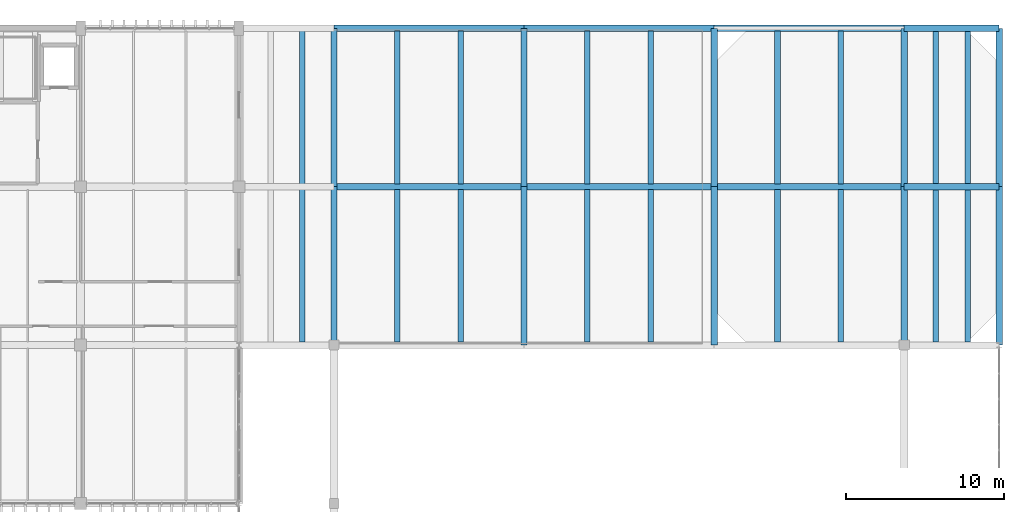
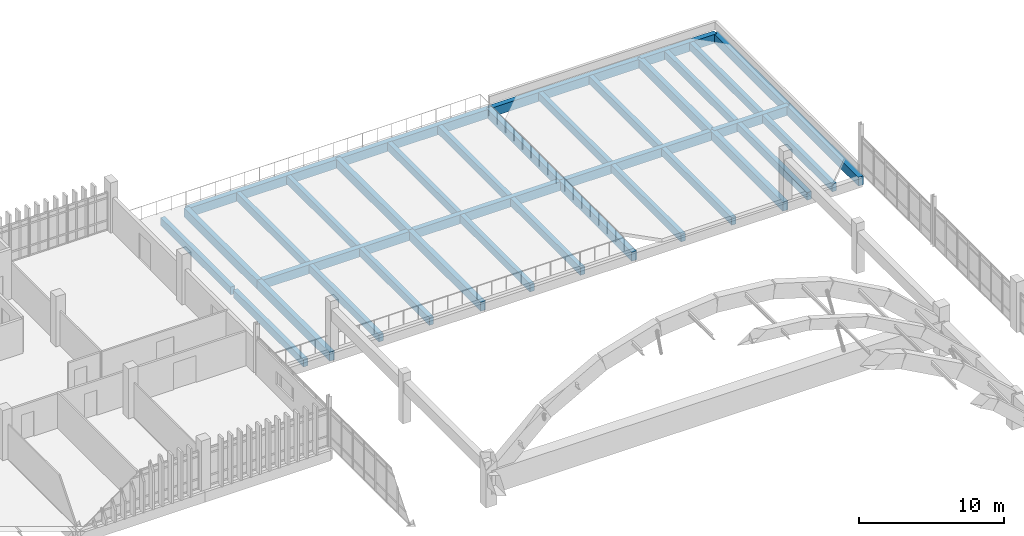
# One storey, part 89 of 111: 36 beams.
"""IFC4 building model written with IfcOpenShell, lengths in metres."""

from ifc_helpers import new_model, si_unit, direction, frame, origin, origin_2d, place, context, subcontext, project, spatial, rectangle, extrude, material, material_profile, profile_set, type_object, element, save


model = new_model("IFC4")

# Units and contexts
model_context = context("Model", 3, precision=1e-05, world=origin(), true_north=direction((0.0, 1.0)))
body_context = subcontext(model_context, "Body", "Model", "MODEL_VIEW")
ifc_project = project(units=[si_unit("LENGTHUNIT", "METRE"), si_unit("AREAUNIT", "SQUARE_METRE"), si_unit("VOLUMEUNIT", "CUBIC_METRE"), si_unit("PLANEANGLEUNIT", "RADIAN"), si_unit("MASSUNIT", "GRAM", prefix="KILO")], contexts=[model_context])

# Site, building, storey
site_placement = place(None, origin())
site = spatial("IfcSite", under=ifc_project, at=site_placement, CompositionType="ELEMENT")
building_placement = place(site_placement, origin())
building = spatial("IfcBuilding", under=site, at=building_placement, Name="Mersad Railyard Sports Hall", CompositionType="ELEMENT")
storey_placement = place(building_placement, frame((0.0, 0.0, 9.0)))
storey = spatial("IfcBuildingStorey", under=building, at=storey_placement, Name="L02", CompositionType="ELEMENT", Elevation=9.0)

# Beams
ifc_material = material(Name="Concrete C40/50", Category="concrete")
ifc_material_profile_1 = material_profile(ifc_material, rectangle(XDim=0.39990234375, YDim=0.75, at=origin_2d()), Name="RC 400x750")
ifc_profile_set_1 = profile_set([ifc_material_profile_1], Name="Concrete C40/50")
beam_type_1 = type_object("IfcBeamType", Name="STR-BM-B01", PredefinedType="BEAM", material=ifc_profile_set_1)
for number, where, z_axis, x_axis, name in (
    (1, (137.0, 105.0, -0.675048828125), (1.0, 0.0, 0.0), (0.0, 1.0, 0.0), "Beam B01-1130"),
    (2, (149.0, 105.0, -0.675048828125), (1.0, 0.0, 0.0), (0.0, 1.0, 0.0), "Beam B01-1131"),
    (3, (161.0, 105.0, -0.675048828125), (1.0, 0.0, 0.0), (0.0, 1.0, 0.0), "Beam B01-1132"),
):
    element("IfcBeam", number, at=place(storey_placement, frame(where, z_axis=z_axis, x_axis=x_axis)), inside=storey, type_object=beam_type_1, Name=name, PredefinedType="BEAM", context=body_context, shape_type="SweptSolid", body=[
        extrude(rectangle(XDim=0.39990234375, YDim=0.75, at=origin_2d()), origin(), (0.0, 0.0, 1.0), 12.0),
    ])
beam_1_placement = place(storey_placement, frame((173.0, 105.0, -0.675048828125), z_axis=(1.0, 0.0, 0.0), x_axis=(0.0, 1.0, 0.0)))
element("IfcBeam", 4, at=beam_1_placement, inside=storey, type_object=beam_type_1, Name="Beam B01-1133", PredefinedType="BEAM", context=body_context, shape_type="SweptSolid", body=[
    extrude(rectangle(XDim=0.39990234375, YDim=0.75, at=origin_2d()), origin(), (0.0, 0.0, 1.0), 6.0),
])
for number, where, z_axis, x_axis, name in (
    (5, (137.0, 115.0, -0.675048828125), (1.0, 0.0, 0.0), (0.0, 1.0, 0.0), "Beam B01-1135"),
    (6, (149.0, 115.0, -0.675048828125), (1.0, 0.0, 0.0), (0.0, 1.0, 0.0), "Beam B01-1136"),
    (7, (161.0, 115.0, -0.675048828125), (1.0, 0.0, 0.0), (0.0, 1.0, 0.0), "Beam B01-1137"),
):
    element("IfcBeam", number, at=place(storey_placement, frame(where, z_axis=z_axis, x_axis=x_axis)), inside=storey, type_object=beam_type_1, Name=name, PredefinedType="BEAM", context=body_context, shape_type="SweptSolid", body=[
        extrude(rectangle(XDim=0.39990234375, YDim=0.75, at=origin_2d()), origin(), (0.0, 0.0, 1.0), 12.0),
    ])
beam_2_placement = place(storey_placement, frame((173.0, 115.0, -0.675048828125), z_axis=(1.0, 0.0, 0.0), x_axis=(0.0, 1.0, 0.0)))
element("IfcBeam", 8, at=beam_2_placement, inside=storey, type_object=beam_type_1, Name="Beam B01-1138", PredefinedType="BEAM", context=body_context, shape_type="SweptSolid", body=[
    extrude(rectangle(XDim=0.39990234375, YDim=0.75, at=origin_2d()), origin(), (0.0, 0.0, 1.0), 6.0),
])
for number, where, z_axis, x_axis, name in (
    (9, (137.0, 95.0, -0.675048828125), (0.0, 1.0, 0.0), (-1.0, 0.0, 0.0), "Beam B01-1139"),
    (10, (137.0, 105.0, -0.675048828125), (0.0, 1.0, 0.0), (-1.0, 0.0, 0.0), "Beam B01-1140"),
    (11, (149.0, 95.0, -0.675048828125), (0.0, 1.0, 0.0), (-1.0, 0.0, 0.0), "Beam B01-1141"),
    (12, (149.0, 105.0, -0.675048828125), (0.0, 1.0, 0.0), (-1.0, 0.0, 0.0), "Beam B01-1142"),
    (13, (161.0, 95.0, -0.675048828125), (0.0, 1.0, 0.0), (-1.0, 0.0, 0.0), "Beam B01-1143"),
    (14, (161.0, 105.0, -0.675048828125), (0.0, 1.0, 0.0), (-1.0, 0.0, 0.0), "Beam B01-1144"),
    (15, (173.0, 95.0, -0.675048828125), (0.0, 1.0, 0.0), (-1.0, 0.0, 0.0), "Beam B01-1145"),
    (16, (173.0, 105.0, -0.675048828125), (0.0, 1.0, 0.0), (-1.0, 0.0, 0.0), "Beam B01-1146"),
    (17, (179.0, 95.0, -0.675048828125), (0.0, 1.0, 0.0), (-1.0, 0.0, 0.0), "Beam B01-1147"),
    (18, (179.0, 105.0, -0.675048828125), (0.0, 1.0, 0.0), (-1.0, 0.0, 0.0), "Beam B01-1148"),
):
    element("IfcBeam", number, at=place(storey_placement, frame(where, z_axis=z_axis, x_axis=x_axis)), inside=storey, type_object=beam_type_1, Name=name, PredefinedType="BEAM", context=body_context, shape_type="SweptSolid", body=[
        extrude(rectangle(XDim=0.39990234375, YDim=0.75, at=origin_2d()), origin(), (0.0, 0.0, 1.0), 10.0),
    ])
ifc_material_profile_2 = material_profile(ifc_material, rectangle(XDim=0.35009765625, YDim=0.64990234375, at=origin_2d()), Name="RC 350x650")
ifc_profile_set_2 = profile_set([ifc_material_profile_2], Name="Concrete C40/50")
beam_type_2 = type_object("IfcBeamType", Name="STR-BM-J01", PredefinedType="JOIST", material=ifc_profile_set_2)
for number, where, z_axis, x_axis, name in (
    (19, (135.0, 95.179931640625, -0.625), (0.0, 1.0, 0.0), (-1.0, 0.0, 0.0), "Beam J01-1193"),
    (20, (135.0, 105.179931640625, -0.625), (0.0, 1.0, 0.0), (-1.0, 0.0, 0.0), "Beam J01-1195"),
    (21, (141.0, 95.179931640625, -0.625), (0.0, 1.0, 0.0), (-1.0, 0.0, 0.0), "Beam J01-1196"),
    (22, (145.0, 95.179931640625, -0.625), (0.0, 1.0, 0.0), (-1.0, 0.0, 0.0), "Beam J01-1197"),
    (23, (141.0, 105.179931640625, -0.625), (0.0, 1.0, 0.0), (-1.0, 0.0, 0.0), "Beam J01-1198"),
    (24, (145.0, 105.179931640625, -0.625), (0.0, 1.0, 0.0), (-1.0, 0.0, 0.0), "Beam J01-1199"),
    (25, (153.0, 95.179931640625, -0.625), (0.0, 1.0, 0.0), (-1.0, 0.0, 0.0), "Beam J01-1200"),
    (26, (157.0, 95.179931640625, -0.625), (0.0, 1.0, 0.0), (-1.0, 0.0, 0.0), "Beam J01-1201"),
    (27, (153.0, 105.179931640625, -0.625), (0.0, 1.0, 0.0), (-1.0, 0.0, 0.0), "Beam J01-1202"),
    (28, (157.0, 105.179931640625, -0.625), (0.0, 1.0, 0.0), (-1.0, 0.0, 0.0), "Beam J01-1203"),
    (29, (165.0, 95.179931640625, -0.625), (0.0, 1.0, 0.0), (-1.0, 0.0, 0.0), "Beam J01-1204"),
    (30, (169.0, 95.179931640625, -0.625), (0.0, 1.0, 0.0), (-1.0, 0.0, 0.0), "Beam J01-1205"),
    (31, (165.0, 105.179931640625, -0.625), (0.0, 1.0, 0.0), (-1.0, 0.0, 0.0), "Beam J01-1206"),
    (32, (169.0, 105.179931640625, -0.625), (0.0, 1.0, 0.0), (-1.0, 0.0, 0.0), "Beam J01-1207"),
    (33, (175.0, 95.179931640625, -0.625), (0.0, 1.0, 0.0), (-1.0, 0.0, 0.0), "Beam J01-1208"),
    (34, (177.0, 95.179931640625, -0.625), (0.0, 1.0, 0.0), (-1.0, 0.0, 0.0), "Beam J01-1209"),
    (35, (175.0, 105.179931640625, -0.625), (0.0, 1.0, 0.0), (-1.0, 0.0, 0.0), "Beam J01-1210"),
    (36, (177.0, 105.179931640625, -0.625), (0.0, 1.0, 0.0), (-1.0, 0.0, 0.0), "Beam J01-1211"),
):
    element("IfcBeam", number, at=place(storey_placement, frame(where, z_axis=z_axis, x_axis=x_axis)), inside=storey, type_object=beam_type_2, Name=name, PredefinedType="JOIST", context=body_context, shape_type="SweptSolid", body=[
        extrude(rectangle(XDim=0.35009765625, YDim=0.64990234375, at=origin_2d()), origin(), (0.0, 0.0, 1.0), 9.64013671875),
    ])

save(model, "model.ifc")
